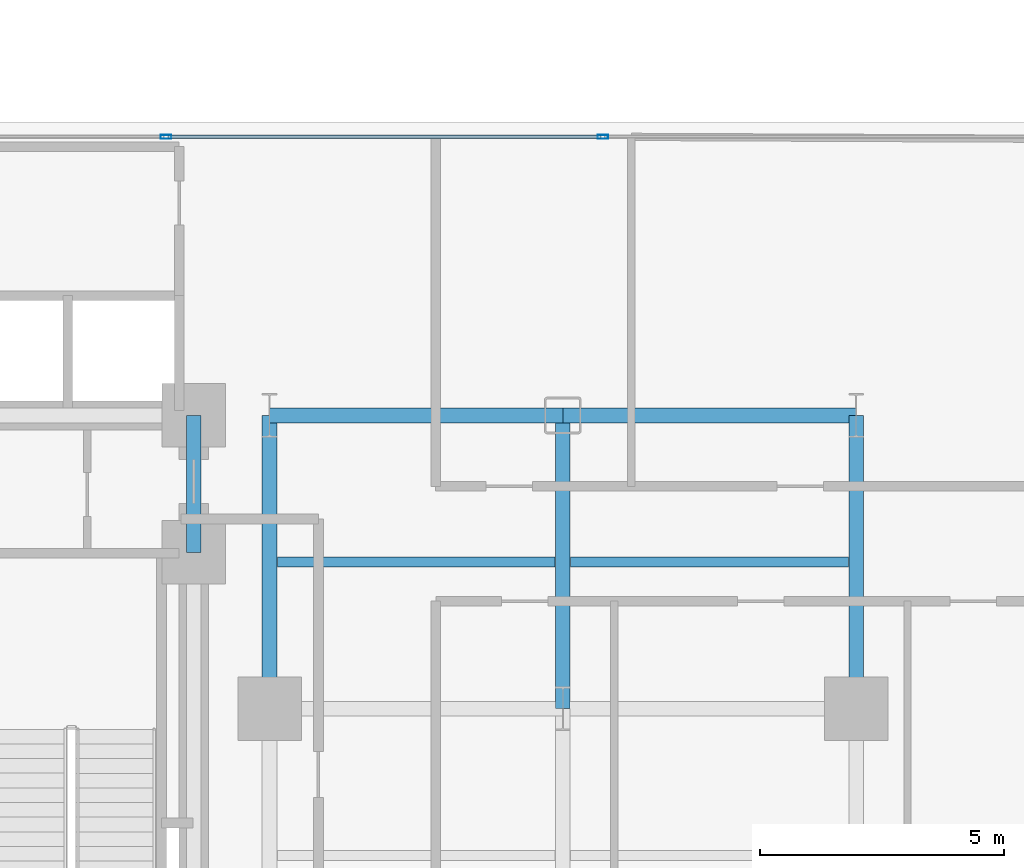
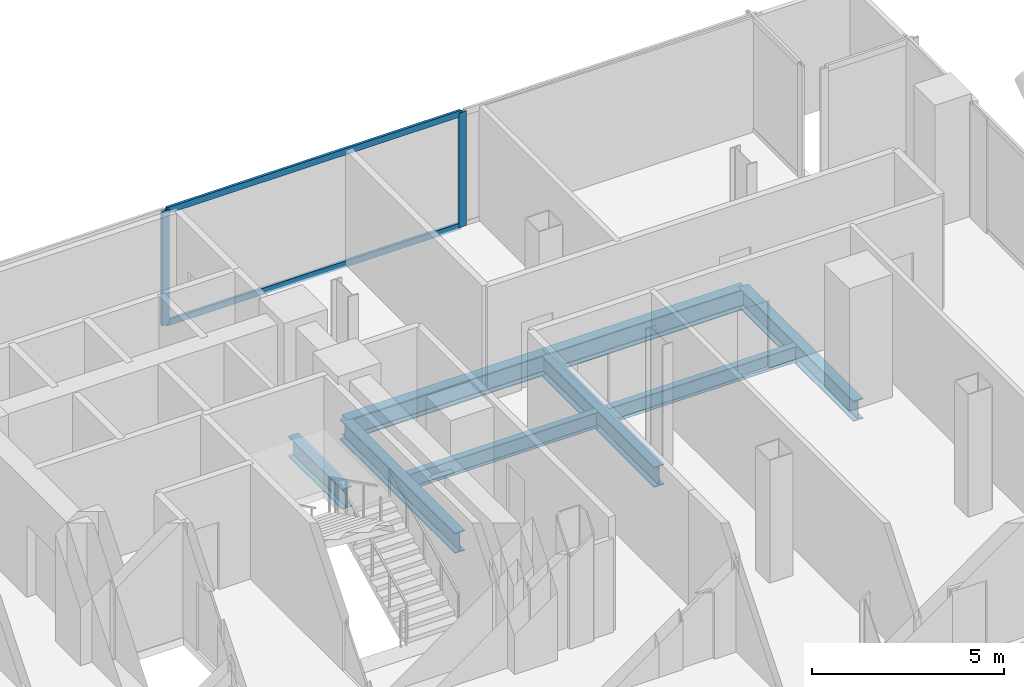
# One storey, part 11 of 27: 8 beams, 4 members, 1 element without a shape of its own.
"""IFC4 building model written with IfcOpenShell, lengths in metres."""

from ifc_helpers import new_model, si_unit, direction, frame, origin, origin_2d, place, context, subcontext, project, spatial, hollow_rectangle, i_section, extrude, material, layer, layer_set, material_profile, profile_set, type_object, element, aggregate, save


model = new_model("IFC4")

# Units and contexts
model_context = context("Model", 3, precision=1e-05, world=origin(), true_north=direction((0.0, 1.0)))
body_context = subcontext(model_context, "Body", "Model", "MODEL_VIEW")
ifc_project = project(units=[si_unit("LENGTHUNIT", "METRE"), si_unit("AREAUNIT", "SQUARE_METRE"), si_unit("VOLUMEUNIT", "CUBIC_METRE"), si_unit("PLANEANGLEUNIT", "RADIAN"), si_unit("MASSUNIT", "GRAM", prefix="KILO"), si_unit("THERMODYNAMICTEMPERATUREUNIT", "KELVIN"), si_unit("POWERUNIT", "WATT")], contexts=[model_context])

# Site, building, storey
site_placement = place(None, origin())
site = spatial("IfcSite", under=ifc_project, at=site_placement, CompositionType="ELEMENT")
building_placement = place(site_placement, origin())
building = spatial("IfcBuilding", under=site, at=building_placement, Name="Svarakhadi Broadcast Tower", CompositionType="ELEMENT")
storey_placement = place(building_placement, frame((0.0, 0.0, 59.699951171875)))
storey = spatial("IfcBuildingStorey", under=building, at=storey_placement, Name="L13", CompositionType="ELEMENT", Elevation=59.699951171875)

# Beams
ifc_material_1 = material(Name="Steel S355J2 (IS 2062 E350C)", Category="steel")
ifc_material_profile_1 = material_profile(ifc_material_1, i_section(OverallWidth=0.199951171875, OverallDepth=0.5, WebThickness=0.01025390625, FlangeThickness=0.01611328125, FilletRadius=0.02099609375, at=origin_2d()), Name="NPB 500x200x91")
ifc_profile_set_1 = profile_set([ifc_material_profile_1], Name="Steel S355J2 (IS 2062 E350C)")
beam_type_1 = type_object("IfcBeamType", Name="Beam_NPB500", PredefinedType="BEAM", material=ifc_profile_set_1)
for number, where, z_axis, x_axis, name in (
    (1, (35.31005859375, 15.0, -0.5), (1.0, 0.0, 0.0), (0.0, 1.0, 0.0), "L13 Secondary Composite Beam SB024"),
    (2, (41.31005859375, 15.0, -0.5), (1.0, 0.0, 0.0), (0.0, 1.0, 0.0), "L13 Secondary Composite Beam SB027"),
):
    element("IfcBeam", number, at=place(storey_placement, frame(where, z_axis=z_axis, x_axis=x_axis)), inside=storey, type_object=beam_type_1, Name=name, PredefinedType="BEAM", context=body_context, shape_type="SweptSolid", body=[
        extrude(i_section(OverallWidth=0.199951171875, OverallDepth=0.5, WebThickness=0.01025390625, FlangeThickness=0.01611328125, FilletRadius=0.02099609375, at=origin_2d()), origin(), (0.0, 0.0, 1.0), 5.679931640625),
    ])

# Curtain wall, members
ifc_material_2 = material(Name="Anodised Bronze Aluminium AA 6063-T6", Category="aluminium")
ifc_layer = layer(ifc_material_2, 0.219970703125)
ifc_layer_set = layer_set([ifc_layer], Name="Anodised Bronze Aluminium AA 6063-T6")
curtain_wall_type = type_object("IfcCurtainWallType", Name="CW_Sys_02", PredefinedType="NOTDEFINED", material=ifc_layer_set)
curtain_wall_placement = place(storey_placement, origin())
curtain_wall = element("IfcCurtainWall", 3, at=curtain_wall_placement, inside=storey, type_object=curtain_wall_type, Name="L13 Unitised Facade Curtain Wall 10", PredefinedType="NOTDEFINED")
ifc_material_profile_2 = material_profile(ifc_material_2, hollow_rectangle(XDim=0.0849609375, YDim=0.219970703125, WallThickness=0.006103515625, at=origin_2d()), Name="ALU MULLION 220x85x6")
ifc_profile_set_2 = profile_set([ifc_material_profile_2], Name="Anodised Bronze Aluminium AA 6063-T6")
member_type_1 = type_object("IfcMemberType", Name="CW_Sys_02_Mul", PredefinedType="MULLION", material=ifc_profile_set_2)
member_1_placement = place(storey_placement, frame((33.030029296875, 23.699951171875, 0.0), z_axis=(0.0, 0.0, 1.0), x_axis=(0.0, 1.0, 0.0)))
member_1 = element("IfcMember", 4, at=member_1_placement, type_object=member_type_1, Name="CW-02 mullion 2", PredefinedType="MULLION", context=body_context, shape_type="SweptSolid", body=[
    extrude(hollow_rectangle(XDim=0.0849609375, YDim=0.219970703125, WallThickness=0.006103515625, at=origin_2d()), origin(), (0.0, 0.0, 1.0), 3.650146484375),
])
member_2_placement = place(storey_placement, frame((41.969970703125, 23.699951171875, 0.0), z_axis=(0.0, 0.0, 1.0), x_axis=(0.0, 1.0, 0.0)))
member_2 = element("IfcMember", 5, at=member_2_placement, type_object=member_type_1, Name="CW-02 mullion 3", PredefinedType="MULLION", context=body_context, shape_type="SweptSolid", body=[
    extrude(hollow_rectangle(XDim=0.0849609375, YDim=0.219970703125, WallThickness=0.006103515625, at=origin_2d()), origin(), (0.0, 0.0, 1.0), 3.650146484375),
])
ifc_material_profile_3 = material_profile(ifc_material_2, hollow_rectangle(XDim=0.074951171875, YDim=0.199951171875, WallThickness=0.0048828125, at=origin_2d()), Name="ALU TRANSOM 200x75x5")
ifc_profile_set_3 = profile_set([ifc_material_profile_3], Name="Anodised Bronze Aluminium AA 6063-T6")
member_type_2 = type_object("IfcMemberType", Name="CW_Sys_02_Trn", PredefinedType="USERDEFINED", material=ifc_profile_set_3)
member_3_placement = place(storey_placement, frame((33.072509765625, 23.699951171875, 0.03759765625), z_axis=(1.0, 0.0, 0.0), x_axis=(0.0, 1.0, 0.0)))
member_3 = element("IfcMember", 6, at=member_3_placement, type_object=member_type_2, Name="CW-02 transom 2.1", ObjectType="TRANSOM", PredefinedType="USERDEFINED", context=body_context, shape_type="SweptSolid", body=[
    extrude(hollow_rectangle(XDim=0.074951171875, YDim=0.199951171875, WallThickness=0.0048828125, at=origin_2d()), origin(), (0.0, 0.0, 1.0), 8.85498046875),
])
member_4_placement = place(storey_placement, frame((33.072509765625, 23.699951171875, 3.612548828125), z_axis=(1.0, 0.0, 0.0), x_axis=(0.0, 1.0, 0.0)))
member_4 = element("IfcMember", 7, at=member_4_placement, type_object=member_type_2, Name="CW-02 transom 2.2", ObjectType="TRANSOM", PredefinedType="USERDEFINED", context=body_context, shape_type="SweptSolid", body=[
    extrude(hollow_rectangle(XDim=0.074951171875, YDim=0.199951171875, WallThickness=0.0048828125, at=origin_2d()), origin(), (0.0, 0.0, 1.0), 8.85498046875),
])
aggregate(curtain_wall, [member_1, member_2, member_3, member_4])

# Beams
ifc_material_profile_4 = material_profile(ifc_material_1, i_section(OverallWidth=0.300048828125, OverallDepth=0.64990234375, WebThickness=0.01611328125, FlangeThickness=0.031005859375, FilletRadius=0.027099609375, at=origin_2d()), Name="WPB 650x300x225")
ifc_profile_set_4 = profile_set([ifc_material_profile_4], Name="Steel S355J2 (IS 2062 E350C)")
beam_type_2 = type_object("IfcBeamType", Name="Girder_WPB650", PredefinedType="USERDEFINED", material=ifc_profile_set_4)
for number, where, z_axis, x_axis, name in (
    (8, (35.14990234375, 18.0, -0.574951171875), (1.0, 0.0, 0.0), (0.0, 1.0, 0.0), "L13 Primary E-W Girder G030"),
    (9, (41.14990234375, 18.0, -0.574951171875), (1.0, 0.0, 0.0), (0.0, 1.0, 0.0), "L13 Primary E-W Girder G031"),
):
    element("IfcBeam", number, at=place(storey_placement, frame(where, z_axis=z_axis, x_axis=x_axis)), inside=storey, type_object=beam_type_2, Name=name, ObjectType="GIRDER", PredefinedType="USERDEFINED", context=body_context, shape_type="SweptSolid", body=[
        extrude(i_section(OverallWidth=0.300048828125, OverallDepth=0.64990234375, WebThickness=0.01611328125, FlangeThickness=0.031005859375, FilletRadius=0.027099609375, at=origin_2d()), origin(), (0.0, 0.0, 1.0), 6.0),
    ])
beam_placement = place(storey_placement, frame((33.60009765625, 15.199951171875, -0.574951171875), z_axis=(0.0, 1.0, 0.0), x_axis=(-1.0, 0.0, 0.0)))
element("IfcBeam", 10, at=beam_placement, inside=storey, type_object=beam_type_2, Name="L13 Primary N-S Girder G075", ObjectType="GIRDER", PredefinedType="USERDEFINED", context=body_context, shape_type="SweptSolid", body=[
    extrude(i_section(OverallWidth=0.300048828125, OverallDepth=0.64990234375, WebThickness=0.01611328125, FlangeThickness=0.031005859375, FilletRadius=0.027099609375, at=origin_2d()), origin(), (0.0, 0.0, 1.0), 2.800048828125),
])
for number, where, z_axis, x_axis, name in (
    (11, (35.14990234375, 12.0, -0.574951171875), (0.0, 1.0, 0.0), (-1.0, 0.0, 0.0), "L13 Primary N-S Girder G078"),
    (12, (41.14990234375, 12.0, -0.574951171875), (0.0, 1.0, 0.0), (-1.0, 0.0, 0.0), "L13 Primary N-S Girder G081"),
    (13, (47.14990234375, 12.0, -0.574951171875), (0.0, 1.0, 0.0), (-1.0, 0.0, 0.0), "L13 Primary N-S Girder G084"),
):
    element("IfcBeam", number, at=place(storey_placement, frame(where, z_axis=z_axis, x_axis=x_axis)), inside=storey, type_object=beam_type_2, Name=name, ObjectType="GIRDER", PredefinedType="USERDEFINED", context=body_context, shape_type="SweptSolid", body=[
        extrude(i_section(OverallWidth=0.300048828125, OverallDepth=0.64990234375, WebThickness=0.01611328125, FlangeThickness=0.031005859375, FilletRadius=0.027099609375, at=origin_2d()), origin(), (0.0, 0.0, 1.0), 6.0),
    ])

save(model, "model.ifc")
